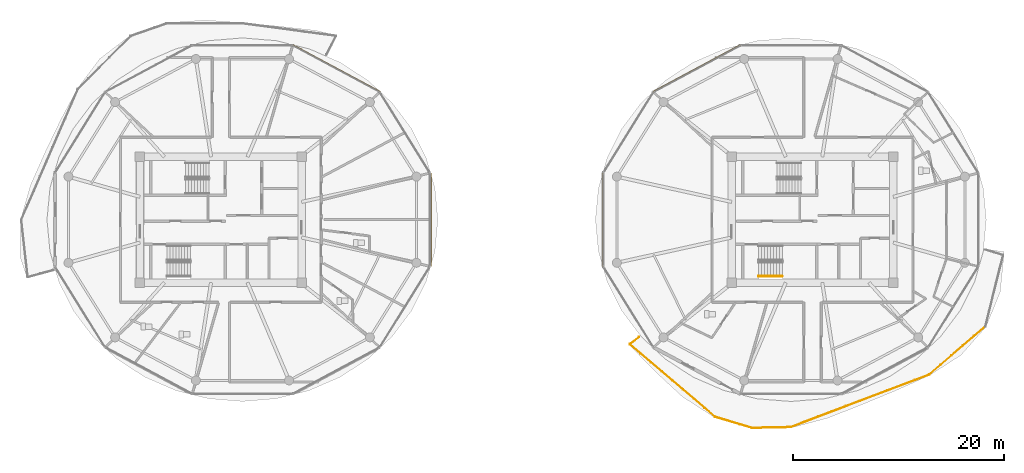
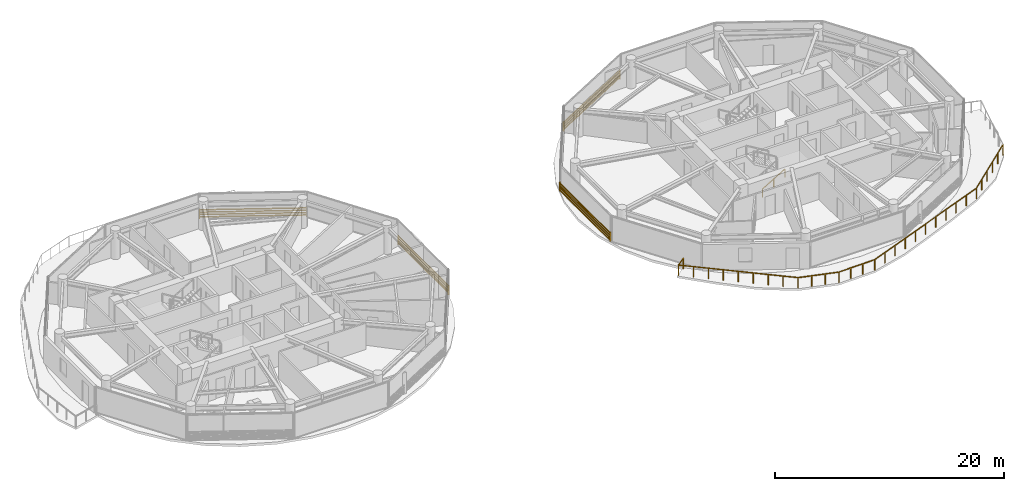
# One storey, part 22 of 25: 4 shading devices, 2 railings.
"""IFC4 building model written with IfcOpenShell, lengths in metres."""

from ifc_helpers import new_model, si_unit, direction, frame, origin, origin_2d, place, context, subcontext, project, spatial, rectangle, extrude, source, transform, mapped, material, type_object, type_shapes, element, save


model = new_model("IFC4")

# Units and contexts
model_context = context("Model", 3, precision=1e-05, world=origin(), true_north=direction((0.0, 1.0)))
body_context = subcontext(model_context, "Body", "Model", "MODEL_VIEW")
ifc_project = project(units=[si_unit("LENGTHUNIT", "METRE"), si_unit("AREAUNIT", "SQUARE_METRE"), si_unit("VOLUMEUNIT", "CUBIC_METRE"), si_unit("PLANEANGLEUNIT", "RADIAN"), si_unit("MASSUNIT", "GRAM", prefix="KILO")], contexts=[model_context])

# Site, building, storey
site_placement = place(None, origin())
site = spatial("IfcSite", under=ifc_project, at=site_placement, CompositionType="ELEMENT")
building_placement = place(site_placement, origin())
building = spatial("IfcBuilding", under=site, at=building_placement, Name="Norrkilde Senior Care Towers", CompositionType="ELEMENT")
storey_placement = place(building_placement, frame((0.0, 0.0, 84.050048828125)))
storey = spatial("IfcBuildingStorey", under=building, at=storey_placement, Name="L25", CompositionType="ELEMENT", Elevation=84.050048828125)

# Railings
ifc_material_1 = material(Name="Anodised Aluminium", Category="aluminium")
railing_type_1 = type_object("IfcRailingType", Name="Balcony Swirl Ribbon Guardrail 1150", PredefinedType="GUARDRAIL", material=ifc_material_1)
railing_1_placement = place(storey_placement, frame((44.3662109375, -10.087158203125, 0.0)))
element("IfcRailing", 1, at=railing_1_placement, inside=storey, type_object=railing_type_1, Name="L25 Perimeter Safety Guard 01", PredefinedType="GUARDRAIL", context=body_context, shape_type="SweptSolid", body=[
    extrude(rectangle(XDim=0.048095703125, YDim=0.048095703125, at=origin_2d()), frame((0.0, 0.0, 1.1259765625), z_axis=(-0.758435823956, -0.65174772799, 0.0), x_axis=(0.65174772799, -0.758435823956, 0.0)), (0.0, 0.0, 1.0), 6.998046875),
    extrude(rectangle(XDim=0.048095703125, YDim=0.048095703125, at=origin_2d()), frame((-5.376953125, -4.60205078125, 1.1259765625), z_axis=(-0.935156993925, -0.354233534146, 0.0), x_axis=(0.354233534146, -0.935156993925, 0.0)), (0.0, 0.0, 1.0), 13.914794921875),
    extrude(rectangle(XDim=0.048095703125, YDim=0.048095703125, at=origin_2d()), frame((-18.46826171875, -9.54638671875, 1.1259765625), z_axis=(-0.999784588528, -0.020755157001, 0.0), x_axis=(0.020755157001, -0.999784588528, 0.0)), (0.0, 0.0, 1.0), 3.576416015625),
    extrude(rectangle(XDim=0.048095703125, YDim=0.048095703125, at=origin_2d()), frame((-22.1240234375, -9.60986328125, 1.1259765625), z_axis=(-0.958180959806, 0.286162975008, 0.0), x_axis=(-0.286162975008, -0.958180959806, 0.0)), (0.0, 0.0, 1.0), 3.567138671875),
    extrude(rectangle(XDim=0.048095703125, YDim=0.048095703125, at=origin_2d()), frame((-25.612548828125, -8.55078125, 1.1259765625), z_axis=(-0.761466632321, 0.648204109723, 0.0), x_axis=(-0.648204109723, -0.761466632321, 0.0)), (0.0, 0.0, 1.0), 10.525634765625),
    extrude(rectangle(XDim=0.048095703125, YDim=0.048095703125, at=origin_2d()), frame((-33.6259765625, -1.6767578125, 1.1259765625), z_axis=(0.793469018284, 0.608610644849, 0.0), x_axis=(-0.608610644849, 0.793469018284, 0.0)), (0.0, 0.0, 1.0), 1.0751953125),
    extrude(rectangle(XDim=0.0419921875, YDim=0.0419921875, at=origin_2d()), origin(), (0.0, 0.0, 1.0), 1.099853515625),
    extrude(rectangle(XDim=0.0419921875, YDim=0.0419921875, at=origin_2d()), frame((-1.067626953125, -0.91748046875, 0.0)), (0.0, 0.0, 1.0), 1.099853515625),
    extrude(rectangle(XDim=0.0419921875, YDim=0.0419921875, at=origin_2d()), frame((-2.135498046875, -1.8349609375, 0.0)), (0.0, 0.0, 1.0), 1.099853515625),
    extrude(rectangle(XDim=0.0419921875, YDim=0.0419921875, at=origin_2d()), frame((-3.203125, -2.752685546875, 0.0)), (0.0, 0.0, 1.0), 1.099853515625),
    extrude(rectangle(XDim=0.0419921875, YDim=0.0419921875, at=origin_2d()), frame((-4.27099609375, -3.670166015625, 0.0)), (0.0, 0.0, 1.0), 1.099853515625),
    extrude(rectangle(XDim=0.0419921875, YDim=0.0419921875, at=origin_2d()), frame((-5.338623046875, -4.587646484375, 0.0)), (0.0, 0.0, 1.0), 1.099853515625),
    extrude(rectangle(XDim=0.0419921875, YDim=0.0419921875, at=origin_2d()), frame((-6.6474609375, -5.08349609375, 0.0)), (0.0, 0.0, 1.0), 1.099853515625),
    extrude(rectangle(XDim=0.0419921875, YDim=0.0419921875, at=origin_2d()), frame((-7.956298828125, -5.579345703125, 0.0)), (0.0, 0.0, 1.0), 1.099853515625),
    extrude(rectangle(XDim=0.0419921875, YDim=0.0419921875, at=origin_2d()), frame((-9.265380859375, -6.074951171875, 0.0)), (0.0, 0.0, 1.0), 1.099853515625),
    extrude(rectangle(XDim=0.0419921875, YDim=0.0419921875, at=origin_2d()), frame((-10.57421875, -6.57080078125, 0.0)), (0.0, 0.0, 1.0), 1.099853515625),
    extrude(rectangle(XDim=0.0419921875, YDim=0.0419921875, at=origin_2d()), frame((-11.883056640625, -7.066650390625, 0.0)), (0.0, 0.0, 1.0), 1.099853515625),
    extrude(rectangle(XDim=0.0419921875, YDim=0.0419921875, at=origin_2d()), frame((-13.19189453125, -7.5625, 0.0)), (0.0, 0.0, 1.0), 1.099853515625),
    extrude(rectangle(XDim=0.0419921875, YDim=0.0419921875, at=origin_2d()), frame((-14.500732421875, -8.058349609375, 0.0)), (0.0, 0.0, 1.0), 1.099853515625),
    extrude(rectangle(XDim=0.0419921875, YDim=0.0419921875, at=origin_2d()), frame((-15.809814453125, -8.553955078125, 0.0)), (0.0, 0.0, 1.0), 1.099853515625),
    extrude(rectangle(XDim=0.0419921875, YDim=0.0419921875, at=origin_2d()), frame((-17.11865234375, -9.0498046875, 0.0)), (0.0, 0.0, 1.0), 1.099853515625),
    extrude(rectangle(XDim=0.0419921875, YDim=0.0419921875, at=origin_2d()), frame((-18.427490234375, -9.545654296875, 0.0)), (0.0, 0.0, 1.0), 1.099853515625),
    extrude(rectangle(XDim=0.0419921875, YDim=0.0419921875, at=origin_2d()), frame((-19.646728515625, -9.571044921875, 0.0)), (0.0, 0.0, 1.0), 1.099853515625),
    extrude(rectangle(XDim=0.0419921875, YDim=0.0419921875, at=origin_2d()), frame((-20.86572265625, -9.59619140625, 0.0)), (0.0, 0.0, 1.0), 1.099853515625),
    extrude(rectangle(XDim=0.0419921875, YDim=0.0419921875, at=origin_2d()), frame((-22.0849609375, -9.62158203125, 0.0)), (0.0, 0.0, 1.0), 1.099853515625),
    extrude(rectangle(XDim=0.0419921875, YDim=0.0419921875, at=origin_2d()), frame((-23.25048828125, -9.2734375, 0.0)), (0.0, 0.0, 1.0), 1.099853515625),
    extrude(rectangle(XDim=0.0419921875, YDim=0.0419921875, at=origin_2d()), frame((-24.415771484375, -8.925537109375, 0.0)), (0.0, 0.0, 1.0), 1.099853515625),
    extrude(rectangle(XDim=0.0419921875, YDim=0.0419921875, at=origin_2d()), frame((-25.581298828125, -8.577392578125, 0.0)), (0.0, 0.0, 1.0), 1.099853515625),
    extrude(rectangle(XDim=0.0419921875, YDim=0.0419921875, at=origin_2d()), frame((-26.5908203125, -7.718017578125, 0.0)), (0.0, 0.0, 1.0), 1.099853515625),
    extrude(rectangle(XDim=0.0419921875, YDim=0.0419921875, at=origin_2d()), frame((-27.6005859375, -6.8583984375, 0.0)), (0.0, 0.0, 1.0), 1.099853515625),
    extrude(rectangle(XDim=0.0419921875, YDim=0.0419921875, at=origin_2d()), frame((-28.6103515625, -5.9990234375, 0.0)), (0.0, 0.0, 1.0), 1.099853515625),
    extrude(rectangle(XDim=0.0419921875, YDim=0.0419921875, at=origin_2d()), frame((-29.619873046875, -5.1396484375, 0.0)), (0.0, 0.0, 1.0), 1.099853515625),
    extrude(rectangle(XDim=0.0419921875, YDim=0.0419921875, at=origin_2d()), frame((-30.62939453125, -4.280029296875, 0.0)), (0.0, 0.0, 1.0), 1.099853515625),
    extrude(rectangle(XDim=0.0419921875, YDim=0.0419921875, at=origin_2d()), frame((-31.63916015625, -3.420654296875, 0.0)), (0.0, 0.0, 1.0), 1.099853515625),
    extrude(rectangle(XDim=0.0419921875, YDim=0.0419921875, at=origin_2d()), frame((-32.64892578125, -2.56103515625, 0.0)), (0.0, 0.0, 1.0), 1.099853515625),
    extrude(rectangle(XDim=0.0419921875, YDim=0.0419921875, at=origin_2d()), frame((-33.658447265625, -1.70166015625, 0.0)), (0.0, 0.0, 1.0), 1.099853515625),
    extrude(rectangle(XDim=0.0419921875, YDim=0.0419921875, at=origin_2d()), frame((-32.77294921875, -1.0224609375, 0.0)), (0.0, 0.0, 1.0), 1.099853515625),
])
ifc_material_2 = material(Name="Nordic Ash Timber", Category="wood")
railing_type_2 = type_object("IfcRailingType", Name="Wall and Stair Handrail 900", PredefinedType="HANDRAIL", material=ifc_material_2)
railing_2_placement = place(storey_placement, frame((22.89990234375, -5.35009765625, 0.16943359375)))
element("IfcRailing", 2, at=railing_2_placement, inside=storey, type_object=railing_type_2, Name="L25 ST-E2 stair handrail 1", PredefinedType="HANDRAIL", context=body_context, shape_type="SweptSolid", body=[
    extrude(rectangle(XDim=0.048095703125, YDim=0.048095703125, at=origin_2d()), frame((0.0, 0.0, 0.8759765625), z_axis=(0.855553338991, 0.0, 0.51771467445), x_axis=(0.0, 1.0, 0.0)), (0.0, 0.0, 1.0), 2.6181640625),
    extrude(rectangle(XDim=0.0419921875, YDim=0.0419921875, at=origin_2d()), origin(), (0.0, 0.0, 1.0), 0.849853515625),
    extrude(rectangle(XDim=0.0419921875, YDim=0.0419921875, at=origin_2d()), frame((1.1201171875, 0.0, 0.677734375)), (0.0, 0.0, 1.0), 0.849853515625),
    extrude(rectangle(XDim=0.0419921875, YDim=0.0419921875, at=origin_2d()), frame((2.239990234375, 0.0, 1.35546875)), (0.0, 0.0, 1.0), 0.849853515625),
])

# Shading devices
ifc_material_3 = material(Name="Architectural Terracotta", Category="masonry")
shading_device_type = type_object("IfcShadingDeviceType", Name="Horizontal Terracotta Baguette Rack", PredefinedType="USERDEFINED", material=ifc_material_3)
shared_shape_1 = source(origin(), body_context, "Body", "SweptSolid", [
    extrude(rectangle(XDim=0.070068359375, YDim=0.110107421875, at=origin_2d()), frame((0.0, 0.090087890625, 0.125), z_axis=(1.0, 0.0, 0.0), x_axis=(0.0, 1.0, 0.0)), (0.0, 0.0, 1.0), 9.3505859375),
    extrude(rectangle(XDim=0.070068359375, YDim=0.110107421875, at=origin_2d()), frame((0.0, 0.090087890625, 0.375), z_axis=(1.0, 0.0, 0.0), x_axis=(0.0, 1.0, 0.0)), (0.0, 0.0, 1.0), 9.3505859375),
    extrude(rectangle(XDim=0.070068359375, YDim=0.110107421875, at=origin_2d()), frame((0.0, 0.090087890625, 0.625), z_axis=(1.0, 0.0, 0.0), x_axis=(0.0, 1.0, 0.0)), (0.0, 0.0, 1.0), 9.3505859375),
    extrude(rectangle(XDim=0.070068359375, YDim=0.110107421875, at=origin_2d()), frame((0.0, 0.090087890625, 0.875), z_axis=(1.0, 0.0, 0.0), x_axis=(0.0, 1.0, 0.0)), (0.0, 0.0, 1.0), 9.3505859375),
    extrude(rectangle(XDim=0.050048828125, YDim=0.1552734375, at=origin_2d()), frame((0.02490234375, 0.047607421875, 0.0)), (0.0, 0.0, 1.0), 1.0),
    extrude(rectangle(XDim=0.050048828125, YDim=0.1552734375, at=origin_2d()), frame((9.32568359375, 0.047607421875, 0.0)), (0.0, 0.0, 1.0), 1.0),
])
for number, where, z_axis, x_axis, name in (
    (3, (-21.19287109375, 16.498046875, 0.079833984375), (0.0, 0.0, 1.0), (0.881174934726, -0.472767624021, 0.0), "L25 Drum W Terracotta Baguette Screen 01"),
    (4, (12.953369140625, 12.077392578125, 0.079833984375), (0.0, 0.0, 1.0), (0.881174934726, 0.472767624021, 0.0), "L25 Drum E Terracotta Baguette Screen 03"),
):
    element("IfcShadingDevice", number, at=place(storey_placement, frame(where, z_axis=z_axis, x_axis=x_axis)), inside=storey, type_object=shading_device_type, Name=name, ObjectType="BAGUETTE", PredefinedType="USERDEFINED", context=body_context, shape_type="MappedRepresentation", body=[
        mapped(shared_shape_1, transform((0.0, 0.0, 0.0), x_axis=(1.0, 0.0, 0.0), y_axis=(0.0, 1.0, 0.0), z_axis=(0.0, 0.0, 1.0), scale=1.0)),
    ])
shared_shape_2 = source(origin(), body_context, "Body", "SweptSolid", [
    extrude(rectangle(XDim=0.070068359375, YDim=0.110107421875, at=origin_2d()), frame((0.0, 0.090087890625, 0.125), z_axis=(1.0, 0.0, 0.0), x_axis=(0.0, 1.0, 0.0)), (0.0, 0.0, 1.0), 8.84130859375),
    extrude(rectangle(XDim=0.070068359375, YDim=0.110107421875, at=origin_2d()), frame((0.0, 0.090087890625, 0.375), z_axis=(1.0, 0.0, 0.0), x_axis=(0.0, 1.0, 0.0)), (0.0, 0.0, 1.0), 8.84130859375),
    extrude(rectangle(XDim=0.070068359375, YDim=0.110107421875, at=origin_2d()), frame((0.0, 0.090087890625, 0.625), z_axis=(1.0, 0.0, 0.0), x_axis=(0.0, 1.0, 0.0)), (0.0, 0.0, 1.0), 8.84130859375),
    extrude(rectangle(XDim=0.070068359375, YDim=0.110107421875, at=origin_2d()), frame((0.0, 0.090087890625, 0.875), z_axis=(1.0, 0.0, 0.0), x_axis=(0.0, 1.0, 0.0)), (0.0, 0.0, 1.0), 8.84130859375),
    extrude(rectangle(XDim=0.050048828125, YDim=0.1552734375, at=origin_2d()), frame((0.02490234375, 0.047607421875, 0.0)), (0.0, 0.0, 1.0), 1.0),
    extrude(rectangle(XDim=0.050048828125, YDim=0.1552734375, at=origin_2d()), frame((8.81640625, 0.047607421875, 0.0)), (0.0, 0.0, 1.0), 1.0),
])
type_shapes(shading_device_type, [shared_shape_1, shared_shape_2])
for number, where, z_axis, x_axis, name in (
    (5, (-8.1962890625, 4.420654296875, 0.079833984375), (0.0, 0.0, 1.0), (0.0, -1.0, 0.0), "L25 Drum W Terracotta Baguette Screen 11"),
    (6, (8.1962890625, -4.420654296875, 0.079833984375), (0.0, 0.0, 1.0), (0.0, 1.0, 0.0), "L25 Drum E Terracotta Baguette Screen 05"),
):
    element("IfcShadingDevice", number, at=place(storey_placement, frame(where, z_axis=z_axis, x_axis=x_axis)), inside=storey, type_object=shading_device_type, Name=name, ObjectType="BAGUETTE", PredefinedType="USERDEFINED", context=body_context, shape_type="MappedRepresentation", body=[
        mapped(shared_shape_2, transform((0.0, 0.0, 0.0), x_axis=(1.0, 0.0, 0.0), y_axis=(0.0, 1.0, 0.0), z_axis=(0.0, 0.0, 1.0), scale=1.0)),
    ])

save(model, "model.ifc")
